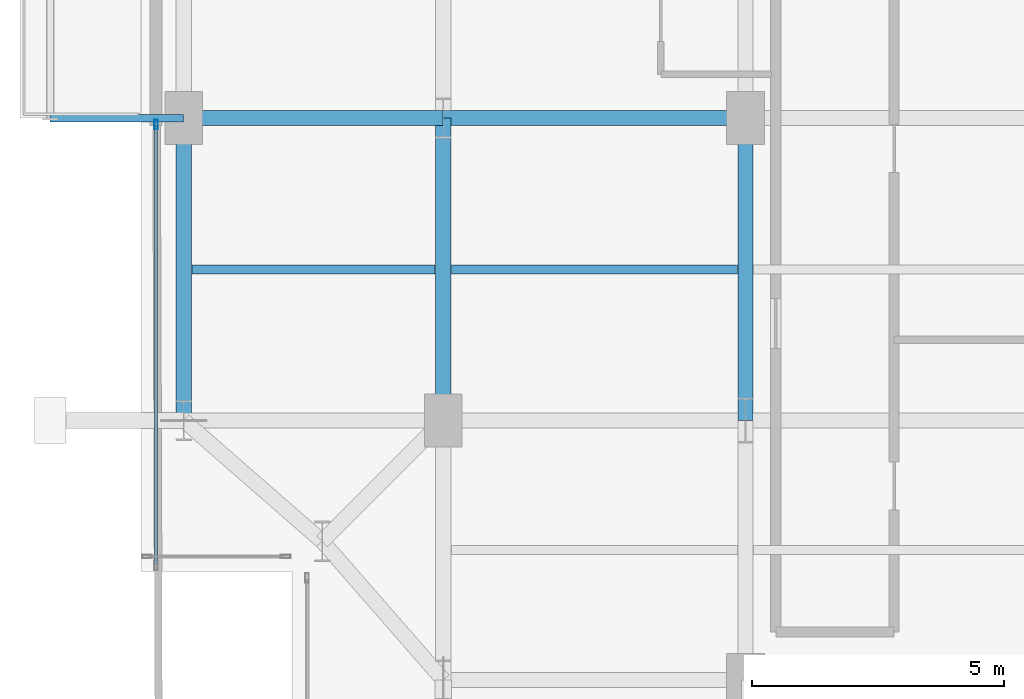
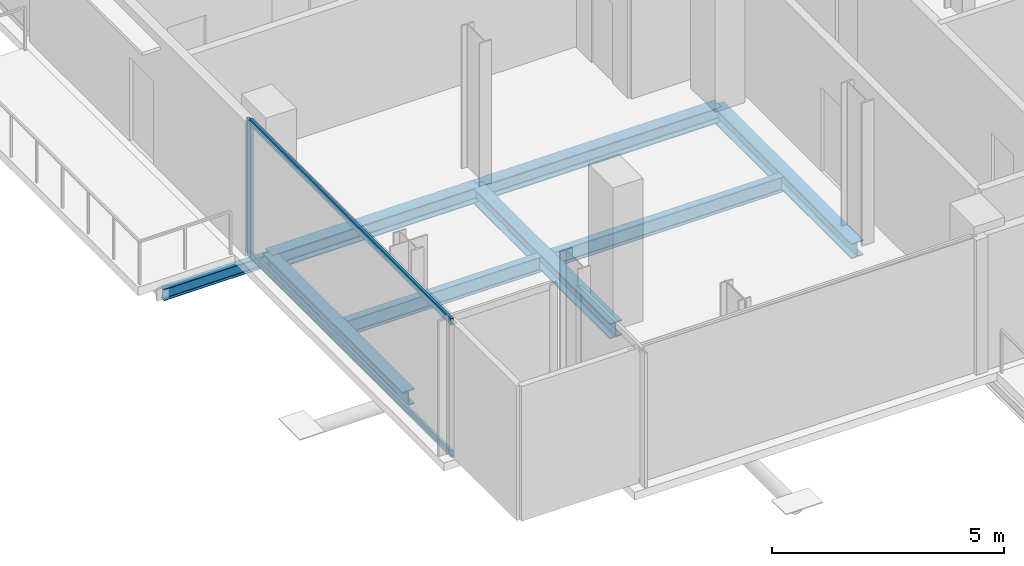
# One storey, part 3 of 21: 8 beams, 3 members, 1 element without a shape of its own.
"""IFC4 building model written with IfcOpenShell, lengths in metres."""

from ifc_helpers import new_model, si_unit, direction, frame, origin, origin_2d, place, context, subcontext, project, spatial, hollow_rectangle, i_section, extrude, material, layer, layer_set, material_profile, profile_set, type_object, element, aggregate, save


model = new_model("IFC4")

# Units and contexts
model_context = context("Model", 3, precision=1e-05, world=origin(), true_north=direction((0.0, 1.0)))
body_context = subcontext(model_context, "Body", "Model", "MODEL_VIEW")
ifc_project = project(units=[si_unit("LENGTHUNIT", "METRE"), si_unit("AREAUNIT", "SQUARE_METRE"), si_unit("VOLUMEUNIT", "CUBIC_METRE"), si_unit("PLANEANGLEUNIT", "RADIAN"), si_unit("MASSUNIT", "GRAM", prefix="KILO"), si_unit("THERMODYNAMICTEMPERATUREUNIT", "KELVIN"), si_unit("POWERUNIT", "WATT")], contexts=[model_context])

# Site, building, storey
site_placement = place(None, origin())
site = spatial("IfcSite", under=ifc_project, at=site_placement, CompositionType="ELEMENT")
building_placement = place(site_placement, origin())
building = spatial("IfcBuilding", under=site, at=building_placement, Name="Svarakhadi Broadcast Tower", CompositionType="ELEMENT")
storey_placement = place(building_placement, frame((0.0, 0.0, 219.89990234375)))
storey = spatial("IfcBuildingStorey", under=building, at=storey_placement, Name="L54", CompositionType="ELEMENT", Elevation=219.89990234375)

# Beams
ifc_material_1 = material(Name="Steel S355J2 (IS 2062 E350C)", Category="steel")
ifc_material_profile_1 = material_profile(ifc_material_1, i_section(OverallWidth=0.179931640625, OverallDepth=0.39990234375, WebThickness=0.008544921875, FlangeThickness=0.013427734375, FilletRadius=0.02099609375, at=origin_2d()), Name="NPB 400x180x66")
ifc_profile_set_1 = profile_set([ifc_material_profile_1], Name="Steel S355J2 (IS 2062 E350C)")
beam_type_1 = type_object("IfcBeamType", Name="Beam_NPB400", PredefinedType="BEAM", material=ifc_profile_set_1)
beam_1_placement = place(storey_placement, frame((1.010009765625, 9.0, -0.409912109375), z_axis=(1.0, 0.0, 0.0), x_axis=(0.0, 1.0, 0.0)))
element("IfcBeam", 1, at=beam_1_placement, inside=storey, type_object=beam_type_1, Name="L54 Secondary Composite Beam SB001", PredefinedType="BEAM", context=body_context, shape_type="SweptSolid", body=[
    extrude(i_section(OverallWidth=0.179931640625, OverallDepth=0.39990234375, WebThickness=0.008544921875, FlangeThickness=0.013427734375, FilletRadius=0.02099609375, at=origin_2d()), origin(), (0.0, 0.0, 1.0), 4.830078125),
])
beam_2_placement = place(storey_placement, frame((6.159912109375, 9.0, -0.409912109375), z_axis=(1.0, 0.0, 0.0), x_axis=(0.0, 1.0, 0.0)))
element("IfcBeam", 2, at=beam_2_placement, inside=storey, type_object=beam_type_1, Name="L54 Secondary Composite Beam SB006", PredefinedType="BEAM", context=body_context, shape_type="SweptSolid", body=[
    extrude(i_section(OverallWidth=0.179931640625, OverallDepth=0.39990234375, WebThickness=0.008544921875, FlangeThickness=0.013427734375, FilletRadius=0.02099609375, at=origin_2d()), origin(), (0.0, 0.0, 1.0), 5.68017578125),
])

# Curtain wall, members
ifc_material_2 = material(Name="Anodised Bronze Aluminium AA 6063-T6", Category="aluminium")
ifc_layer = layer(ifc_material_2, 0.18994140625)
ifc_layer_set = layer_set([ifc_layer], Name="Anodised Bronze Aluminium AA 6063-T6")
curtain_wall_type = type_object("IfcCurtainWallType", Name="CW_Sys_04", PredefinedType="NOTDEFINED", material=ifc_layer_set)
curtain_wall_placement = place(storey_placement, origin())
curtain_wall = element("IfcCurtainWall", 3, at=curtain_wall_placement, inside=storey, type_object=curtain_wall_type, Name="L54 West Curtain Wall 02", PredefinedType="NOTDEFINED")
ifc_material_profile_2 = material_profile(ifc_material_2, hollow_rectangle(XDim=0.070068359375, YDim=0.18994140625, WallThickness=0.005615234375, at=origin_2d()), Name="ALU MULLION 190x70x6")
ifc_profile_set_2 = profile_set([ifc_material_profile_2], Name="Anodised Bronze Aluminium AA 6063-T6")
member_type_1 = type_object("IfcMemberType", Name="CW_Sys_04_Mul", PredefinedType="MULLION", material=ifc_profile_set_2)
member_1_placement = place(storey_placement, frame((0.300048828125, 11.875, 0.0), z_axis=(0.0, 0.0, 1.0), x_axis=(-1.0, 0.0, 0.0)))
member_1 = element("IfcMember", 4, at=member_1_placement, type_object=member_type_1, Name="CW-04 mullion 2", PredefinedType="MULLION", context=body_context, shape_type="SweptSolid", body=[
    extrude(hollow_rectangle(XDim=0.070068359375, YDim=0.18994140625, WallThickness=0.005615234375, at=origin_2d()), origin(), (0.0, 0.0, 1.0), 3.5400390625),
])
ifc_material_profile_3 = material_profile(ifc_material_2, hollow_rectangle(XDim=0.06494140625, YDim=0.175048828125, WallThickness=0.0048828125, at=origin_2d()), Name="ALU TRANSOM 175x65x5")
ifc_profile_set_3 = profile_set([ifc_material_profile_3], Name="Anodised Bronze Aluminium AA 6063-T6")
member_type_2 = type_object("IfcMemberType", Name="CW_Sys_04_Trn", PredefinedType="USERDEFINED", material=ifc_profile_set_3)
member_2_placement = place(storey_placement, frame((0.300048828125, 3.159912109375, 0.03271484375), z_axis=(0.0, 1.0, 0.0), x_axis=(-1.0, 0.0, 0.0)))
member_2 = element("IfcMember", 5, at=member_2_placement, type_object=member_type_2, Name="CW-04 transom 1.1", ObjectType="TRANSOM", PredefinedType="USERDEFINED", context=body_context, shape_type="SweptSolid", body=[
    extrude(hollow_rectangle(XDim=0.06494140625, YDim=0.175048828125, WallThickness=0.0048828125, at=origin_2d()), origin(), (0.0, 0.0, 1.0), 8.68017578125),
])
member_3_placement = place(storey_placement, frame((0.300048828125, 3.159912109375, 3.507568359375), z_axis=(0.0, 1.0, 0.0), x_axis=(-1.0, 0.0, 0.0)))
member_3 = element("IfcMember", 6, at=member_3_placement, type_object=member_type_2, Name="CW-04 transom 1.2", ObjectType="TRANSOM", PredefinedType="USERDEFINED", context=body_context, shape_type="SweptSolid", body=[
    extrude(hollow_rectangle(XDim=0.06494140625, YDim=0.175048828125, WallThickness=0.0048828125, at=origin_2d()), origin(), (0.0, 0.0, 1.0), 8.68017578125),
])
aggregate(curtain_wall, [member_1, member_2, member_3])

# Beams
ifc_material_profile_4 = material_profile(ifc_material_1, i_section(OverallWidth=0.300048828125, OverallDepth=0.39990234375, WebThickness=0.013427734375, FlangeThickness=0.02392578125, FilletRadius=0.027099609375, at=origin_2d()), Name="WPB 400x300x155")
ifc_profile_set_4 = profile_set([ifc_material_profile_4], Name="Steel S355J2 (IS 2062 E350C)")
beam_type_2 = type_object("IfcBeamType", Name="Girder_WPB400", PredefinedType="USERDEFINED", material=ifc_profile_set_4)
beam_3_placement = place(storey_placement, frame((0.85009765625, 12.0, -0.409912109375), z_axis=(1.0, 0.0, 0.0), x_axis=(0.0, 1.0, 0.0)))
element("IfcBeam", 7, at=beam_3_placement, inside=storey, type_object=beam_type_2, Name="L54 Primary E-W Girder G015", ObjectType="GIRDER", PredefinedType="USERDEFINED", context=body_context, shape_type="SweptSolid", body=[
    extrude(i_section(OverallWidth=0.300048828125, OverallDepth=0.39990234375, WebThickness=0.013427734375, FlangeThickness=0.02392578125, FilletRadius=0.027099609375, at=origin_2d()), origin(), (0.0, 0.0, 1.0), 5.14990234375),
])
for number, where, z_axis, x_axis, name in (
    (8, (6.0, 12.0, -0.409912109375), (1.0, 0.0, 0.0), (0.0, 1.0, 0.0), "L54 Primary E-W Girder G016"),
    (9, (0.85009765625, 6.0, -0.409912109375), (0.0, 1.0, 0.0), (-1.0, 0.0, 0.0), "L54 Primary N-S Girder G033"),
    (10, (6.0, 6.0, -0.409912109375), (0.0, 1.0, 0.0), (-1.0, 0.0, 0.0), "L54 Primary N-S Girder G038"),
    (11, (12.0, 6.0, -0.409912109375), (0.0, 1.0, 0.0), (-1.0, 0.0, 0.0), "L54 Primary N-S Girder G043"),
):
    element("IfcBeam", number, at=place(storey_placement, frame(where, z_axis=z_axis, x_axis=x_axis)), inside=storey, type_object=beam_type_2, Name=name, ObjectType="GIRDER", PredefinedType="USERDEFINED", context=body_context, shape_type="SweptSolid", body=[
        extrude(i_section(OverallWidth=0.300048828125, OverallDepth=0.39990234375, WebThickness=0.013427734375, FlangeThickness=0.02392578125, FilletRadius=0.027099609375, at=origin_2d()), origin(), (0.0, 0.0, 1.0), 6.0),
    ])
ifc_material_profile_5 = material_profile(ifc_material_1, i_section(OverallWidth=0.14990234375, OverallDepth=0.300048828125, WebThickness=0.007080078125, FlangeThickness=0.0107421875, FilletRadius=0.014892578125, at=origin_2d()), Name="NPB 300x150x37")
ifc_profile_set_5 = profile_set([ifc_material_profile_5], Name="Steel S355J2 (IS 2062 E350C)")
beam_type_3 = type_object("IfcBeamType", Name="Spandrel_NPB300", PredefinedType="SPANDREL", material=ifc_profile_set_5)
beam_4_placement = place(storey_placement, frame((0.85009765625, 12.0, -0.375), z_axis=(-1.0, 0.0, 0.0), x_axis=(0.0, -1.0, 0.0)))
element("IfcBeam", 12, at=beam_4_placement, inside=storey, type_object=beam_type_3, Name="L54 Balcony Cantilever Bracket 2A", PredefinedType="SPANDREL", context=body_context, shape_type="SweptSolid", body=[
    extrude(i_section(OverallWidth=0.14990234375, OverallDepth=0.300048828125, WebThickness=0.007080078125, FlangeThickness=0.0107421875, FilletRadius=0.014892578125, at=origin_2d()), origin(), (0.0, 0.0, 1.0), 2.650146484375),
])

save(model, "model.ifc")
